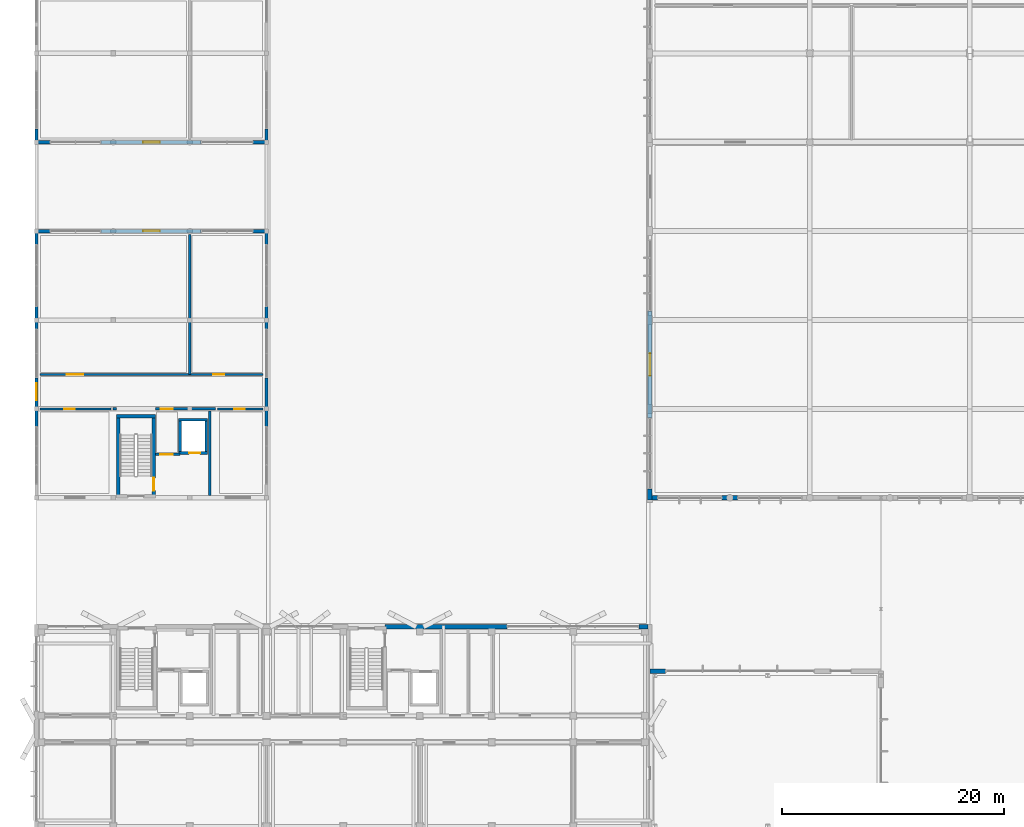
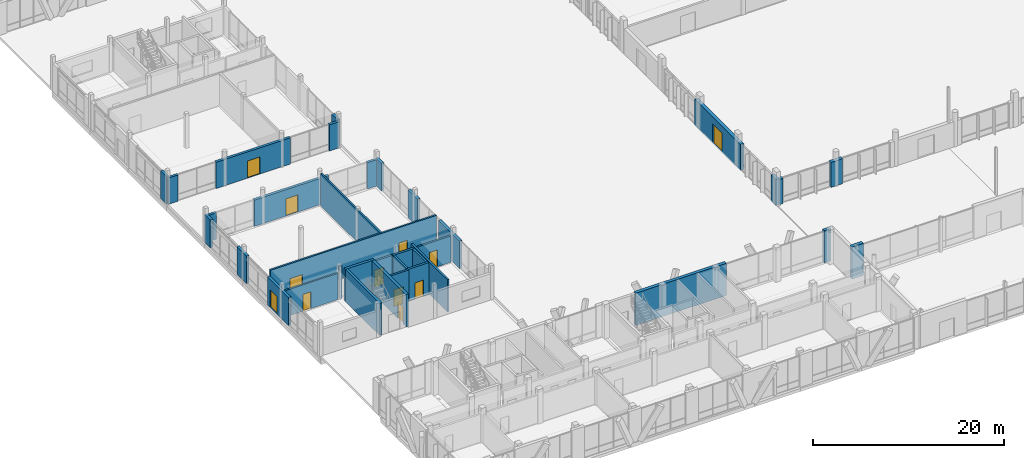
# One storey, part 192 of 233: 36 walls, 12 doors, 12 openings.
"""IFC4 building model written with IfcOpenShell, lengths in metres."""

from ifc_helpers import new_model, si_unit, direction, frame, frame_2d, origin, origin_with_axes, place, context, subcontext, project, spatial, rectangle, extrude, material, layer, layer_set, type_object, element, fill, save


model = new_model("IFC4")

# Units and contexts
model_context = context("Model", 3, precision=1e-05, world=origin(), true_north=direction((0.0, 1.0)))
body_context = subcontext(model_context, "Body", "Model", "MODEL_VIEW")
ifc_project = project(units=[si_unit("LENGTHUNIT", "METRE"), si_unit("AREAUNIT", "SQUARE_METRE"), si_unit("VOLUMEUNIT", "CUBIC_METRE"), si_unit("PLANEANGLEUNIT", "RADIAN"), si_unit("MASSUNIT", "GRAM", prefix="KILO")], contexts=[model_context])

# Site, building, storey
site_placement = place(None, origin())
site = spatial("IfcSite", under=ifc_project, at=site_placement, CompositionType="ELEMENT")
building_placement = place(site_placement, origin())
building = spatial("IfcBuilding", under=site, at=building_placement, Name="Zavelmont Quarter", CompositionType="ELEMENT")
storey_placement = place(building_placement, origin())
storey = spatial("IfcBuildingStorey", under=building, at=storey_placement, Name="L00", CompositionType="ELEMENT", Elevation=0.0)

# Walls
ifc_material_1 = material(Name="Natural Belgian limestone", Category="masonry")
ifc_layer_1 = layer(ifc_material_1, 0.3798828125)
ifc_layer_set_1 = layer_set([ifc_layer_1], Name="Natural Belgian limestone")
wall_type_1 = type_object("IfcWallType", Name="EW01", PredefinedType="STANDARD", material=ifc_layer_set_1)
wall_1_placement = place(storey_placement, frame((31.35009765625, 18.39990234375, 0.0), z_axis=(0.0, 0.0, 1.0), x_axis=(1.0, 0.0, 0.0)))
element("IfcWall", 1, at=wall_1_placement, inside=storey, type_object=wall_type_1, Name="L00 exterior limestone wall EW01", PredefinedType="STANDARD", context=body_context, shape_type="SweptSolid", body=[
    extrude(rectangle(XDim=11.0, YDim=0.3798828125, at=frame_2d((5.5, 0.0))), origin(), (0.0, 0.0, 1.0), 4.1201171875),
])
wall_2_placement = place(storey_placement, frame((54.199951171875, 18.39990234375, 0.0), z_axis=(0.0, 0.0, 1.0), x_axis=(1.0, 0.0, 0.0)))
element("IfcWall", 2, at=wall_2_placement, inside=storey, type_object=wall_type_1, Name="L00 exterior limestone wall EW01", PredefinedType="STANDARD", context=body_context, shape_type="SweptSolid", body=[
    extrude(rectangle(XDim=0.820068359375, YDim=0.3798828125, at=frame_2d((0.41015625, 0.0))), origin(), (0.0, 0.0, 1.0), 4.1201171875),
])
ifc_layer_2 = layer(ifc_material_1, 0.419921875)
ifc_layer_set_2 = layer_set([ifc_layer_2], Name="Natural Belgian limestone")
wall_type_2 = type_object("IfcWallType", Name="EW04", PredefinedType="STANDARD", material=ifc_layer_set_2)
wall_3_placement = place(storey_placement, frame((55.199951171875, 29.7900390625, 0.0), z_axis=(0.0, 0.0, 1.0), x_axis=(0.0, 1.0, 0.0)))
element("IfcWall", 3, at=wall_3_placement, inside=storey, type_object=wall_type_2, Name="L00 exterior limestone wall EW04", PredefinedType="STANDARD", context=body_context, shape_type="SweptSolid", body=[
    extrude(rectangle(XDim=1.010009765625, YDim=0.419921875, at=frame_2d((0.5048828125, 0.0))), origin(), (0.0, 0.0, 1.0), 3.360107421875),
])

# Wall, opening, door
wall_4_placement = place(storey_placement, frame((55.199951171875, 37.199951171875, 0.0), z_axis=(0.0, 0.0, 1.0), x_axis=(0.0, 1.0, 0.0)))
wall_4 = element("IfcWall", 4, at=wall_4_placement, inside=storey, type_object=wall_type_2, Name="L00 exterior limestone wall EW04", PredefinedType="STANDARD", context=body_context, shape_type="SweptSolid", body=[
    extrude(rectangle(XDim=9.60009765625, YDim=0.419921875, at=frame_2d((4.800048828125, 0.0))), origin(), (0.0, 0.0, 1.0), 3.360107421875),
])
opening_1_placement = place(wall_4_placement, frame((3.800048828125, 0.0, 0.0)))
opening_1 = element("IfcOpeningElement", 5, at=opening_1_placement, cuts=wall_4, Name="Opening DR01A", PredefinedType="OPENING", context=body_context, shape_type="SweptSolid", body=[
    extrude(rectangle(XDim=2.0, YDim=2.449951171875, at=frame_2d((1.0, 1.22509765625))), frame((0.0, 0.221923828125, 0.0), z_axis=(0.0, -1.0, 0.0), x_axis=(1.0, 0.0, 0.0)), (0.0, 0.0, 1.0), 0.44384765625),
])
ifc_material_2 = material(Name="Powder-coated aluminium and tempered double safety glass", Category="aluminium")
door_type_1 = type_object("IfcDoorType", Name="DR01A", OperationType="DOUBLE_DOOR_SINGLE_SWING", PredefinedType="DOOR", material=ifc_material_2)
door_1_placement = place(opening_1_placement, origin_with_axes())
door_1 = element("IfcDoor", 6, at=door_1_placement, inside=storey, type_object=door_type_1, Name="Community Hall West final exit door", OperationType="DOUBLE_DOOR_SINGLE_SWING", OverallHeight=2.449951171875, OverallWidth=2.0, PredefinedType="DOOR", context=body_context, shape_type="SweptSolid", body=[
    extrude(rectangle(XDim=2.0, YDim=2.449951171875, at=frame_2d((1.0, 1.22509765625))), frame((0.0, 0.02490234375, 0.0), z_axis=(0.0, -1.0, 0.0), x_axis=(1.0, 0.0, 0.0)), (0.0, 0.0, 1.0), 0.050048828125),
])
fill(opening_1, door_1)

# Walls
wall_5_placement = place(storey_placement, frame((55.39990234375, 30.0, 0.0), z_axis=(0.0, 0.0, 1.0), x_axis=(1.0, 0.0, 0.0)))
element("IfcWall", 7, at=wall_5_placement, inside=storey, type_object=wall_type_2, Name="L00 exterior limestone wall EW04", PredefinedType="STANDARD", context=body_context, shape_type="SweptSolid", body=[
    extrude(rectangle(XDim=0.5, YDim=0.419921875, at=frame_2d((0.25, 0.0))), origin(), (0.0, 0.0, 1.0), 3.2099609375),
])
wall_6_placement = place(storey_placement, frame((61.699951171875, 30.0, 0.0), z_axis=(0.0, 0.0, 1.0), x_axis=(1.0, 0.0, 0.0)))
element("IfcWall", 8, at=wall_6_placement, inside=storey, type_object=wall_type_2, Name="L00 exterior limestone wall EW04", PredefinedType="STANDARD", context=body_context, shape_type="SweptSolid", body=[
    extrude(rectangle(XDim=1.400146484375, YDim=0.419921875, at=frame_2d((0.7001953125, 0.0))), origin(), (0.0, 0.0, 1.0), 3.2099609375),
])
wall_7_placement = place(storey_placement, frame((55.199951171875, 14.39990234375, 0.0), z_axis=(0.0, 0.0, 1.0), x_axis=(1.0, 0.0, 0.0)))
element("IfcWall", 9, at=wall_7_placement, inside=storey, type_object=wall_type_2, Name="L00 exterior limestone wall EW04", PredefinedType="STANDARD", context=body_context, shape_type="SweptSolid", body=[
    extrude(rectangle(XDim=1.400146484375, YDim=0.419921875, at=frame_2d((0.7001953125, 0.0))), origin(), (0.0, 0.0, 1.0), 4.1201171875),
])

# Wall, opening, door
ifc_layer_3 = layer(ifc_material_1, 0.31005859375)
ifc_layer_set_3 = layer_set([ifc_layer_3], Name="Natural Belgian limestone")
wall_type_3 = type_object("IfcWallType", Name="EW06", PredefinedType="STANDARD", material=ifc_layer_set_3)
wall_8_placement = place(storey_placement, frame((0.0, 36.39990234375, 0.0), z_axis=(0.0, 0.0, 1.0), x_axis=(0.0, 1.0, 0.0)))
wall_8 = element("IfcWall", 10, at=wall_8_placement, inside=storey, type_object=wall_type_3, Name="L00 exterior limestone wall EW06", PredefinedType="STANDARD", context=body_context, shape_type="SweptSolid", body=[
    extrude(rectangle(XDim=4.400146484375, YDim=0.31005859375, at=frame_2d((2.2001953125, 0.0))), origin(), (0.0, 0.0, 1.0), 3.56005859375),
])
opening_2_placement = place(wall_8_placement, frame((2.39990234375, 0.0, 0.0)))
opening_2 = element("IfcOpeningElement", 11, at=opening_2_placement, cuts=wall_8, Name="Opening DR01C", PredefinedType="OPENING", context=body_context, shape_type="SweptSolid", body=[
    extrude(rectangle(XDim=1.5, YDim=2.199951171875, at=frame_2d((0.75, 1.10009765625))), frame((0.0, 0.1669921875, 0.0), z_axis=(0.0, -1.0, 0.0), x_axis=(1.0, 0.0, 0.0)), (0.0, 0.0, 1.0), 0.333984375),
])
door_type_2 = type_object("IfcDoorType", Name="DR01C", OperationType="DOUBLE_DOOR_SINGLE_SWING", PredefinedType="DOOR", material=ifc_material_2)
door_2_placement = place(opening_2_placement, origin_with_axes())
door_2 = element("IfcDoor", 12, at=door_2_placement, inside=storey, type_object=door_type_2, Name="Cooperative Market street entrance", OperationType="DOUBLE_DOOR_SINGLE_SWING", OverallHeight=2.199951171875, OverallWidth=1.5, PredefinedType="DOOR", context=body_context, shape_type="SweptSolid", body=[
    extrude(rectangle(XDim=1.5, YDim=2.199951171875, at=frame_2d((0.75, 1.10009765625))), frame((0.0, 0.02490234375, 0.0), z_axis=(0.0, -1.0, 0.0), x_axis=(1.0, 0.0, 0.0)), (0.0, 0.0, 1.0), 0.050048828125),
])
fill(opening_2, door_2)

# Walls
wall_9_placement = place(storey_placement, frame((0.0, 45.199951171875, 0.0), z_axis=(0.0, 0.0, 1.0), x_axis=(0.0, 1.0, 0.0)))
element("IfcWall", 13, at=wall_9_placement, inside=storey, type_object=wall_type_3, Name="L00 exterior limestone wall EW06", PredefinedType="STANDARD", context=body_context, shape_type="SweptSolid", body=[
    extrude(rectangle(XDim=2.0, YDim=0.31005859375, at=frame_2d((1.0, 0.0))), origin(), (0.0, 0.0, 1.0), 3.56005859375),
])
wall_10_placement = place(storey_placement, frame((0.0, 52.800048828125, 0.0), z_axis=(0.0, 0.0, 1.0), x_axis=(0.0, 1.0, 0.0)))
element("IfcWall", 14, at=wall_10_placement, inside=storey, type_object=wall_type_3, Name="L00 exterior limestone wall EW06", PredefinedType="STANDARD", context=body_context, shape_type="SweptSolid", body=[
    extrude(rectangle(XDim=1.199951171875, YDim=0.31005859375, at=frame_2d((0.60009765625, 0.0))), origin(), (0.0, 0.0, 1.0), 3.56005859375),
])
wall_11_placement = place(storey_placement, frame((20.699951171875, 36.39990234375, 0.0), z_axis=(0.0, 0.0, 1.0), x_axis=(0.0, 1.0, 0.0)))
element("IfcWall", 15, at=wall_11_placement, inside=storey, type_object=wall_type_3, Name="L00 exterior limestone wall EW06", PredefinedType="STANDARD", context=body_context, shape_type="SweptSolid", body=[
    extrude(rectangle(XDim=4.400146484375, YDim=0.31005859375, at=frame_2d((2.2001953125, 0.0))), origin(), (0.0, 0.0, 1.0), 3.56005859375),
])
wall_12_placement = place(storey_placement, frame((20.699951171875, 45.199951171875, 0.0), z_axis=(0.0, 0.0, 1.0), x_axis=(0.0, 1.0, 0.0)))
element("IfcWall", 16, at=wall_12_placement, inside=storey, type_object=wall_type_3, Name="L00 exterior limestone wall EW06", PredefinedType="STANDARD", context=body_context, shape_type="SweptSolid", body=[
    extrude(rectangle(XDim=2.0, YDim=0.31005859375, at=frame_2d((1.0, 0.0))), origin(), (0.0, 0.0, 1.0), 3.56005859375),
])
wall_13_placement = place(storey_placement, frame((20.699951171875, 52.800048828125, 0.0), z_axis=(0.0, 0.0, 1.0), x_axis=(0.0, 1.0, 0.0)))
element("IfcWall", 17, at=wall_13_placement, inside=storey, type_object=wall_type_3, Name="L00 exterior limestone wall EW06", PredefinedType="STANDARD", context=body_context, shape_type="SweptSolid", body=[
    extrude(rectangle(XDim=1.199951171875, YDim=0.31005859375, at=frame_2d((0.60009765625, 0.0))), origin(), (0.0, 0.0, 1.0), 3.56005859375),
])
wall_14_placement = place(storey_placement, frame((0.0, 54.0, 0.0), z_axis=(0.0, 0.0, 1.0), x_axis=(1.0, 0.0, 0.0)))
element("IfcWall", 18, at=wall_14_placement, inside=storey, type_object=wall_type_3, Name="L00 exterior limestone wall EW06", PredefinedType="STANDARD", context=body_context, shape_type="SweptSolid", body=[
    extrude(rectangle(XDim=1.199951171875, YDim=0.31005859375, at=frame_2d((0.60009765625, 0.0))), origin(), (0.0, 0.0, 1.0), 3.360107421875),
])

# Wall, opening, door
wall_15_placement = place(storey_placement, frame((5.800048828125, 54.0, 0.0), z_axis=(0.0, 0.0, 1.0), x_axis=(1.0, 0.0, 0.0)))
wall_15 = element("IfcWall", 19, at=wall_15_placement, inside=storey, type_object=wall_type_3, Name="L00 exterior limestone wall EW06", PredefinedType="STANDARD", context=body_context, shape_type="SweptSolid", body=[
    extrude(rectangle(XDim=9.0, YDim=0.31005859375, at=frame_2d((4.5, 0.0))), origin(), (0.0, 0.0, 1.0), 3.360107421875),
])
opening_3_placement = place(wall_15_placement, frame((3.800048828125, 0.0, 0.0)))
opening_3 = element("IfcOpeningElement", 20, at=opening_3_placement, cuts=wall_15, Name="Opening DR01C", PredefinedType="OPENING", context=body_context, shape_type="SweptSolid", body=[
    extrude(rectangle(XDim=1.5, YDim=2.199951171875, at=frame_2d((0.75, 1.10009765625))), frame((0.0, 0.1669921875, 0.0), z_axis=(0.0, -1.0, 0.0), x_axis=(1.0, 0.0, 0.0)), (0.0, 0.0, 1.0), 0.333984375),
])
door_3_placement = place(opening_3_placement, origin_with_axes())
door_3 = element("IfcDoor", 21, at=door_3_placement, inside=storey, type_object=door_type_2, Name="Passage shopfront entrance", OperationType="DOUBLE_DOOR_SINGLE_SWING", OverallHeight=2.199951171875, OverallWidth=1.5, PredefinedType="DOOR", context=body_context, shape_type="SweptSolid", body=[
    extrude(rectangle(XDim=1.5, YDim=2.199951171875, at=frame_2d((0.75, 1.10009765625))), frame((0.0, 0.02490234375, 0.0), z_axis=(0.0, -1.0, 0.0), x_axis=(1.0, 0.0, 0.0)), (0.0, 0.0, 1.0), 0.050048828125),
])
fill(opening_3, door_3)

# Walls
wall_16_placement = place(storey_placement, frame((19.5, 54.0, 0.0), z_axis=(0.0, 0.0, 1.0), x_axis=(1.0, 0.0, 0.0)))
element("IfcWall", 22, at=wall_16_placement, inside=storey, type_object=wall_type_3, Name="L00 exterior limestone wall EW06", PredefinedType="STANDARD", context=body_context, shape_type="SweptSolid", body=[
    extrude(rectangle(XDim=1.199951171875, YDim=0.31005859375, at=frame_2d((0.60009765625, 0.0))), origin(), (0.0, 0.0, 1.0), 3.360107421875),
])
for number, where, z_axis, x_axis, name in (
    (23, (0.0, 62.0, 0.0), (0.0, 0.0, 1.0), (0.0, 1.0, 0.0), "L00 exterior limestone wall EW06"),
    (24, (20.699951171875, 62.0, 0.0), (0.0, 0.0, 1.0), (0.0, 1.0, 0.0), "L00 exterior limestone wall EW06"),
):
    element("IfcWall", number, at=place(storey_placement, frame(where, z_axis=z_axis, x_axis=x_axis)), inside=storey, type_object=wall_type_3, Name=name, PredefinedType="STANDARD", context=body_context, shape_type="SweptSolid", body=[
        extrude(rectangle(XDim=1.199951171875, YDim=0.31005859375, at=frame_2d((0.60009765625, 0.0))), origin(), (0.0, 0.0, 1.0), 3.56005859375),
    ])
wall_17_placement = place(storey_placement, frame((0.0, 62.0, 0.0), z_axis=(0.0, 0.0, 1.0), x_axis=(1.0, 0.0, 0.0)))
element("IfcWall", 25, at=wall_17_placement, inside=storey, type_object=wall_type_3, Name="L00 exterior limestone wall EW06", PredefinedType="STANDARD", context=body_context, shape_type="SweptSolid", body=[
    extrude(rectangle(XDim=1.199951171875, YDim=0.31005859375, at=frame_2d((0.60009765625, 0.0))), origin(), (0.0, 0.0, 1.0), 3.360107421875),
])

# Wall, opening, door
wall_18_placement = place(storey_placement, frame((5.800048828125, 62.0, 0.0), z_axis=(0.0, 0.0, 1.0), x_axis=(1.0, 0.0, 0.0)))
wall_18 = element("IfcWall", 26, at=wall_18_placement, inside=storey, type_object=wall_type_3, Name="L00 exterior limestone wall EW06", PredefinedType="STANDARD", context=body_context, shape_type="SweptSolid", body=[
    extrude(rectangle(XDim=9.0, YDim=0.31005859375, at=frame_2d((4.5, 0.0))), origin(), (0.0, 0.0, 1.0), 3.360107421875),
])
opening_4_placement = place(wall_18_placement, frame((3.800048828125, 0.0, 0.0)))
opening_4 = element("IfcOpeningElement", 27, at=opening_4_placement, cuts=wall_18, Name="Opening DR01C", PredefinedType="OPENING", context=body_context, shape_type="SweptSolid", body=[
    extrude(rectangle(XDim=1.5, YDim=2.199951171875, at=frame_2d((0.75, 1.10009765625))), frame((0.0, 0.1669921875, 0.0), z_axis=(0.0, -1.0, 0.0), x_axis=(1.0, 0.0, 0.0)), (0.0, 0.0, 1.0), 0.333984375),
])
door_4_placement = place(opening_4_placement, frame((1.5, 0.0, 0.0), z_axis=(0.0, 0.0, 1.0), x_axis=(-1.0, 0.0, 0.0)))
door_4 = element("IfcDoor", 28, at=door_4_placement, inside=storey, type_object=door_type_2, Name="Neighbourhood Cafe passage entrance", OperationType="DOUBLE_DOOR_SINGLE_SWING", OverallHeight=2.199951171875, OverallWidth=1.5, PredefinedType="DOOR", context=body_context, shape_type="SweptSolid", body=[
    extrude(rectangle(XDim=1.5, YDim=2.199951171875, at=frame_2d((0.75, 1.10009765625))), frame((0.0, 0.02490234375, 0.0), z_axis=(0.0, -1.0, 0.0), x_axis=(1.0, 0.0, 0.0)), (0.0, 0.0, 1.0), 0.050048828125),
])
fill(opening_4, door_4)

# Wall
wall_19_placement = place(storey_placement, frame((19.5, 62.0, 0.0), z_axis=(0.0, 0.0, 1.0), x_axis=(1.0, 0.0, 0.0)))
element("IfcWall", 29, at=wall_19_placement, inside=storey, type_object=wall_type_3, Name="L00 exterior limestone wall EW06", PredefinedType="STANDARD", context=body_context, shape_type="SweptSolid", body=[
    extrude(rectangle(XDim=1.199951171875, YDim=0.31005859375, at=frame_2d((0.60009765625, 0.0))), origin(), (0.0, 0.0, 1.0), 3.360107421875),
])

# Wall, openings, doors
ifc_material_3 = material(Name="Calcium-silicate blockwork and acoustic plaster", Category="masonry")
ifc_layer_4 = layer(ifc_material_3, 0.199951171875)
ifc_layer_set_4 = layer_set([ifc_layer_4], Name="Calcium-silicate blockwork and acoustic plaster")
wall_type_4 = type_object("IfcWallType", Name="IW01", PredefinedType="PARTITIONING", material=ifc_layer_set_4)
wall_20_placement = place(storey_placement, frame((0.300048828125, 41.10009765625, 0.0), z_axis=(0.0, 0.0, 1.0), x_axis=(1.0, 0.0, 0.0)))
wall_20 = element("IfcWall", 30, at=wall_20_placement, inside=storey, type_object=wall_type_4, Name="L00 Interior partition IW01", PredefinedType="PARTITIONING", context=body_context, shape_type="SweptSolid", body=[
    extrude(rectangle(XDim=20.099853515625, YDim=0.199951171875, at=frame_2d((10.0498046875, 0.0))), origin(), (0.0, 0.0, 1.0), 4.1201171875),
])
opening_5_placement = place(wall_20_placement, frame((2.39990234375, 0.0, 0.0)))
opening_5 = element("IfcOpeningElement", 31, at=opening_5_placement, cuts=wall_20, Name="Opening DR13", PredefinedType="OPENING", context=body_context, shape_type="SweptSolid", body=[
    extrude(rectangle(XDim=1.5, YDim=2.199951171875, at=frame_2d((0.75, 1.10009765625))), frame((0.0, 0.11181640625, 0.0), z_axis=(0.0, -1.0, 0.0), x_axis=(1.0, 0.0, 0.0)), (0.0, 0.0, 1.0), 0.223876953125),
])
opening_6_placement = place(wall_20_placement, frame((15.60009765625, 0.0, 0.0)))
opening_6 = element("IfcOpeningElement", 32, at=opening_6_placement, cuts=wall_20, Name="Opening DR07", PredefinedType="OPENING", context=body_context, shape_type="SweptSolid", body=[
    extrude(rectangle(XDim=1.0, YDim=2.14990234375, at=frame_2d((0.5, 1.074951171875))), frame((0.0, 0.11181640625, 0.0), z_axis=(0.0, -1.0, 0.0), x_axis=(1.0, 0.0, 0.0)), (0.0, 0.0, 1.0), 0.223876953125),
])
ifc_material_4 = material(Name="Solid-core oak fire leaf in steel frame", Category="steel")
door_type_3 = type_object("IfcDoorType", Name="DR07", OperationType="NOTDEFINED", PredefinedType="DOOR", material=ifc_material_4)
door_5_placement = place(opening_6_placement, frame((1.0, 0.0, 0.0), z_axis=(0.0, 0.0, 1.0), x_axis=(-1.0, 0.0, 0.0)))
door_5 = element("IfcDoor", 33, at=door_5_placement, inside=storey, type_object=door_type_3, Name="L00 door DR07", OperationType="SINGLE_SWING_LEFT", OverallHeight=2.14990234375, OverallWidth=1.0, PredefinedType="DOOR", context=body_context, shape_type="SweptSolid", body=[
    extrude(rectangle(XDim=1.0, YDim=2.14990234375, at=frame_2d((0.5, 1.074951171875))), frame((0.0, 0.02490234375, 0.0), z_axis=(0.0, -1.0, 0.0), x_axis=(1.0, 0.0, 0.0)), (0.0, 0.0, 1.0), 0.050048828125),
])
fill(opening_6, door_5)
ifc_material_5 = material(Name="Glazed oak acoustic fire door pair")
door_type_4 = type_object("IfcDoorType", Name="DR13", OperationType="DOUBLE_DOOR_SINGLE_SWING", PredefinedType="DOOR", material=ifc_material_5)
door_6_placement = place(opening_5_placement, origin_with_axes())
door_6 = element("IfcDoor", 34, at=door_6_placement, inside=storey, type_object=door_type_4, Name="L00 door DR13", OperationType="DOUBLE_DOOR_SINGLE_SWING", OverallHeight=2.199951171875, OverallWidth=1.5, PredefinedType="DOOR", context=body_context, shape_type="SweptSolid", body=[
    extrude(rectangle(XDim=1.5, YDim=2.199951171875, at=frame_2d((0.75, 1.10009765625))), frame((0.0, 0.02490234375, 0.0), z_axis=(0.0, -1.0, 0.0), x_axis=(1.0, 0.0, 0.0)), (0.0, 0.0, 1.0), 0.050048828125),
])
fill(opening_5, door_6)

# Wall
wall_21_placement = place(storey_placement, frame((13.800048828125, 41.10009765625, 0.0), z_axis=(0.0, 0.0, 1.0), x_axis=(0.0, 1.0, 0.0)))
element("IfcWall", 35, at=wall_21_placement, inside=storey, type_object=wall_type_4, Name="L00 Interior partition IW01", PredefinedType="PARTITIONING", context=body_context, shape_type="SweptSolid", body=[
    extrude(rectangle(XDim=12.599853515625, YDim=0.199951171875, at=frame_2d((6.2998046875, 0.0))), origin(), (0.0, 0.0, 1.0), 4.1201171875),
])

# Wall, opening, door
wall_22_placement = place(storey_placement, frame((0.300048828125, 38.0, 0.0), z_axis=(0.0, 0.0, 1.0), x_axis=(1.0, 0.0, 0.0)))
wall_22 = element("IfcWall", 36, at=wall_22_placement, inside=storey, type_object=wall_type_4, Name="L00 Interior partition IW01", PredefinedType="PARTITIONING", context=body_context, shape_type="SweptSolid", body=[
    extrude(rectangle(XDim=6.39990234375, YDim=0.199951171875, at=frame_2d((3.199951171875, 0.0))), origin(), (0.0, 0.0, 1.0), 3.360107421875),
])
opening_7_placement = place(wall_22_placement, frame((2.199951171875, 0.0, 0.0)))
opening_7 = element("IfcOpeningElement", 37, at=opening_7_placement, cuts=wall_22, Name="Opening DR02", PredefinedType="OPENING", context=body_context, shape_type="SweptSolid", body=[
    extrude(rectangle(XDim=0.949951171875, YDim=2.14990234375, at=frame_2d((0.47509765625, 1.074951171875))), frame((0.0, 0.11181640625, 0.0), z_axis=(0.0, -1.0, 0.0), x_axis=(1.0, 0.0, 0.0)), (0.0, 0.0, 1.0), 0.223876953125),
])
door_type_5 = type_object("IfcDoorType", Name="DR02", OperationType="NOTDEFINED", PredefinedType="DOOR", material=ifc_material_4)
door_7_placement = place(opening_7_placement, origin_with_axes())
door_7 = element("IfcDoor", 38, at=door_7_placement, inside=storey, type_object=door_type_5, Name="L00 door DR02", OperationType="SINGLE_SWING_LEFT", OverallHeight=2.14990234375, OverallWidth=0.949951171875, PredefinedType="DOOR", context=body_context, shape_type="SweptSolid", body=[
    extrude(rectangle(XDim=0.949951171875, YDim=2.14990234375, at=frame_2d((0.47509765625, 1.074951171875))), frame((0.0, 0.02490234375, 0.0), z_axis=(0.0, -1.0, 0.0), x_axis=(1.0, 0.0, 0.0)), (0.0, 0.0, 1.0), 0.050048828125),
])
fill(opening_7, door_7)

wall_23_placement = place(storey_placement, frame((16.300048828125, 38.0, 0.0), z_axis=(0.0, 0.0, 1.0), x_axis=(1.0, 0.0, 0.0)))
wall_23 = element("IfcWall", 39, at=wall_23_placement, inside=storey, type_object=wall_type_4, Name="L00 Interior partition IW01", PredefinedType="PARTITIONING", context=body_context, shape_type="SweptSolid", body=[
    extrude(rectangle(XDim=4.099853515625, YDim=0.199951171875, at=frame_2d((2.0498046875, 0.0))), origin(), (0.0, 0.0, 1.0), 3.360107421875),
])
opening_8_placement = place(wall_23_placement, frame((1.5, 0.0, 0.0)))
opening_8 = element("IfcOpeningElement", 40, at=opening_8_placement, cuts=wall_23, Name="Opening DR02", PredefinedType="OPENING", context=body_context, shape_type="SweptSolid", body=[
    extrude(rectangle(XDim=0.949951171875, YDim=2.14990234375, at=frame_2d((0.47509765625, 1.074951171875))), frame((0.0, 0.11181640625, 0.0), z_axis=(0.0, -1.0, 0.0), x_axis=(1.0, 0.0, 0.0)), (0.0, 0.0, 1.0), 0.223876953125),
])
door_8_placement = place(opening_8_placement, frame((0.949951171875, 0.0, 0.0), z_axis=(0.0, 0.0, 1.0), x_axis=(-1.0, 0.0, 0.0)))
door_8 = element("IfcDoor", 41, at=door_8_placement, inside=storey, type_object=door_type_5, Name="L00 door DR02", OperationType="SINGLE_SWING_RIGHT", OverallHeight=2.14990234375, OverallWidth=0.949951171875, PredefinedType="DOOR", context=body_context, shape_type="SweptSolid", body=[
    extrude(rectangle(XDim=0.949951171875, YDim=2.14990234375, at=frame_2d((0.47509765625, 1.074951171875))), frame((0.0, 0.02490234375, 0.0), z_axis=(0.0, -1.0, 0.0), x_axis=(1.0, 0.0, 0.0)), (0.0, 0.0, 1.0), 0.050048828125),
])
fill(opening_8, door_8)

# Wall
ifc_material_6 = material(Name="Reinforced masonry fire compartment wall", Category="masonry")
ifc_layer_5 = layer(ifc_material_6, 0.22509765625)
ifc_layer_set_5 = layer_set([ifc_layer_5], Name="Reinforced masonry fire compartment wall")
wall_type_5 = type_object("IfcWallType", Name="IW02", PredefinedType="PARTITIONING", material=ifc_layer_set_5)
wall_24_placement = place(storey_placement, frame((15.610107421875, 30.199951171875, 0.0), z_axis=(0.0, 0.0, 1.0), x_axis=(0.0, 1.0, 0.0)))
element("IfcWall", 42, at=wall_24_placement, inside=storey, type_object=wall_type_5, Name="L00 Firefighting lobby enclosure wall IW02", PredefinedType="PARTITIONING", context=body_context, shape_type="SweptSolid", body=[
    extrude(rectangle(XDim=7.60009765625, YDim=0.22509765625, at=frame_2d((3.800048828125, 0.0))), origin(), (0.0, 0.0, 1.0), 4.1201171875),
])

# Wall, opening, door
wall_25_placement = place(storey_placement, frame((10.699951171875, 33.89990234375, 0.0), z_axis=(0.0, 0.0, 1.0), x_axis=(1.0, 0.0, 0.0)))
wall_25 = element("IfcWall", 43, at=wall_25_placement, inside=storey, type_object=wall_type_5, Name="L00 Firefighting lobby threshold wall IW02", PredefinedType="PARTITIONING", context=body_context, shape_type="SweptSolid", body=[
    extrude(rectangle(XDim=2.199951171875, YDim=0.22509765625, at=frame_2d((1.10009765625, 0.0))), origin(), (0.0, 0.0, 1.0), 4.1201171875),
])
opening_9_placement = place(wall_25_placement, frame((0.449951171875, 0.0, 0.0)))
opening_9 = element("IfcOpeningElement", 44, at=opening_9_placement, cuts=wall_25, Name="Opening DR10", PredefinedType="OPENING", context=body_context, shape_type="SweptSolid", body=[
    extrude(rectangle(XDim=1.10009765625, YDim=2.14990234375, at=frame_2d((0.550048828125, 1.074951171875))), frame((0.0, 0.12451171875, 0.0), z_axis=(0.0, -1.0, 0.0), x_axis=(1.0, 0.0, 0.0)), (0.0, 0.0, 1.0), 0.2490234375),
])
ifc_material_7 = material(Name="Painted steel lobby fire door", Category="steel")
door_type_6 = type_object("IfcDoorType", Name="DR10", OperationType="NOTDEFINED", PredefinedType="DOOR", material=ifc_material_7)
door_9_placement = place(opening_9_placement, frame((1.10009765625, 0.0, 0.0), z_axis=(0.0, 0.0, 1.0), x_axis=(-1.0, 0.0, 0.0)))
door_9 = element("IfcDoor", 45, at=door_9_placement, inside=storey, type_object=door_type_6, Name="Firefighting lobby fire door", OperationType="SINGLE_SWING_RIGHT", OverallHeight=2.14990234375, OverallWidth=1.10009765625, PredefinedType="DOOR", context=body_context, shape_type="SweptSolid", body=[
    extrude(rectangle(XDim=1.10009765625, YDim=2.14990234375, at=frame_2d((0.550048828125, 1.074951171875))), frame((0.0, 0.02490234375, 0.0), z_axis=(0.0, -1.0, 0.0), x_axis=(1.0, 0.0, 0.0)), (0.0, 0.0, 1.0), 0.050048828125),
])
fill(opening_9, door_9)

# Wall
wall_26_placement = place(storey_placement, frame((6.89990234375, 38.0, 0.0), z_axis=(0.0, 0.0, 1.0), x_axis=(1.0, 0.0, 0.0)))
element("IfcWall", 46, at=wall_26_placement, inside=storey, type_object=wall_type_5, Name="L00 Core corridor wall IW02", PredefinedType="PARTITIONING", context=body_context, shape_type="SweptSolid", body=[
    extrude(rectangle(XDim=0.300048828125, YDim=0.22509765625, at=frame_2d((0.14990234375, 0.0))), origin(), (0.0, 0.0, 1.0), 4.1201171875),
])

# Wall, opening, door
wall_27_placement = place(storey_placement, frame((10.699951171875, 38.0, 0.0), z_axis=(0.0, 0.0, 1.0), x_axis=(1.0, 0.0, 0.0)))
wall_27 = element("IfcWall", 47, at=wall_27_placement, inside=storey, type_object=wall_type_5, Name="L00 Core corridor fire wall IW02", PredefinedType="PARTITIONING", context=body_context, shape_type="SweptSolid", body=[
    extrude(rectangle(XDim=5.400146484375, YDim=0.22509765625, at=frame_2d((2.7001953125, 0.0))), origin(), (0.0, 0.0, 1.0), 3.360107421875),
])
opening_10_placement = place(wall_27_placement, frame((0.47509765625, 0.0, 0.0)))
opening_10 = element("IfcOpeningElement", 48, at=opening_10_placement, cuts=wall_27, Name="Opening DR10", PredefinedType="OPENING", context=body_context, shape_type="SweptSolid", body=[
    extrude(rectangle(XDim=1.10009765625, YDim=2.14990234375, at=frame_2d((0.550048828125, 1.074951171875))), frame((0.0, 0.12451171875, 0.0), z_axis=(0.0, -1.0, 0.0), x_axis=(1.0, 0.0, 0.0)), (0.0, 0.0, 1.0), 0.2490234375),
])
door_10_placement = place(opening_10_placement, frame((1.10009765625, 0.0, 0.0), z_axis=(0.0, 0.0, 1.0), x_axis=(-1.0, 0.0, 0.0)))
door_10 = element("IfcDoor", 49, at=door_10_placement, inside=storey, type_object=door_type_6, Name="Core vestibule fire door", OperationType="SINGLE_SWING_LEFT", OverallHeight=2.14990234375, OverallWidth=1.10009765625, PredefinedType="DOOR", context=body_context, shape_type="SweptSolid", body=[
    extrude(rectangle(XDim=1.10009765625, YDim=2.14990234375, at=frame_2d((0.550048828125, 1.074951171875))), frame((0.0, 0.02490234375, 0.0), z_axis=(0.0, -1.0, 0.0), x_axis=(1.0, 0.0, 0.0)), (0.0, 0.0, 1.0), 0.050048828125),
])
fill(opening_10, door_10)

# Walls
ifc_material_8 = material(Name="Concrete C40/50", Category="concrete")
ifc_layer_6 = layer(ifc_material_8, 0.300048828125)
ifc_layer_set_6 = layer_set([ifc_layer_6], Name="Concrete C40/50")
wall_type_6 = type_object("IfcWallType", Name="SW01", PredefinedType="SHEAR", material=ifc_layer_set_6)
wall_28_placement = place(storey_placement, frame((7.199951171875, 37.35009765625, 0.0), z_axis=(0.0, 0.0, 1.0), x_axis=(1.0, 0.0, 0.0)))
element("IfcWall", 50, at=wall_28_placement, inside=storey, type_object=wall_type_6, Name="L00 ST13 corridor shear wall SW01", PredefinedType="SHEAR", context=body_context, shape_type="SweptSolid", body=[
    extrude(rectangle(XDim=3.5, YDim=0.300048828125, at=frame_2d((1.75, 0.0))), origin(), (0.0, 0.0, 1.0), 4.1201171875),
])
wall_29_placement = place(storey_placement, frame((7.35009765625, 30.0, 0.0), z_axis=(0.0, 0.0, 1.0), x_axis=(0.0, 1.0, 0.0)))
element("IfcWall", 51, at=wall_29_placement, inside=storey, type_object=wall_type_6, Name="L00 ST13 west shear wall SW01", PredefinedType="SHEAR", context=body_context, shape_type="SweptSolid", body=[
    extrude(rectangle(XDim=7.5, YDim=0.300048828125, at=frame_2d((3.75, 0.0))), origin(), (0.0, 0.0, 1.0), 4.1201171875),
])

# Wall, opening, door
wall_30_placement = place(storey_placement, frame((10.550048828125, 30.0, 0.0), z_axis=(0.0, 0.0, 1.0), x_axis=(0.0, 1.0, 0.0)))
wall_30 = element("IfcWall", 52, at=wall_30_placement, inside=storey, type_object=wall_type_6, Name="L00 ST13 lobby shear wall SW01", PredefinedType="SHEAR", context=body_context, shape_type="SweptSolid", body=[
    extrude(rectangle(XDim=7.5, YDim=0.300048828125, at=frame_2d((3.75, 0.0))), origin(), (0.0, 0.0, 1.0), 4.1201171875),
])
opening_11_placement = place(wall_30_placement, frame((0.64990234375, 0.0, 0.0)))
opening_11 = element("IfcOpeningElement", 53, at=opening_11_placement, cuts=wall_30, Name="Opening DR09", PredefinedType="OPENING", context=body_context, shape_type="SweptSolid", body=[
    extrude(rectangle(XDim=1.14990234375, YDim=2.14990234375, at=frame_2d((0.574951171875, 1.074951171875))), frame((0.0, 0.162109375, 0.0), z_axis=(0.0, -1.0, 0.0), x_axis=(1.0, 0.0, 0.0)), (0.0, 0.0, 1.0), 0.323974609375),
])
ifc_material_9 = material(Name="Painted steel stair-core fire door", Category="steel")
door_type_7 = type_object("IfcDoorType", Name="DR09", OperationType="NOTDEFINED", PredefinedType="DOOR", material=ifc_material_9)
door_11_placement = place(opening_11_placement, origin_with_axes())
door_11 = element("IfcDoor", 54, at=door_11_placement, inside=storey, type_object=door_type_7, Name="ST13 protected stair door", OperationType="SINGLE_SWING_RIGHT", OverallHeight=2.14990234375, OverallWidth=1.14990234375, PredefinedType="DOOR", context=body_context, shape_type="SweptSolid", body=[
    extrude(rectangle(XDim=1.14990234375, YDim=2.14990234375, at=frame_2d((0.574951171875, 1.074951171875))), frame((0.0, 0.02490234375, 0.0), z_axis=(0.0, -1.0, 0.0), x_axis=(1.0, 0.0, 0.0)), (0.0, 0.0, 1.0), 0.050048828125),
])
fill(opening_11, door_11)

ifc_layer_7 = layer(ifc_material_8, 0.25)
ifc_layer_set_7 = layer_set([ifc_layer_7], Name="Concrete C40/50")
wall_type_7 = type_object("IfcWallType", Name="SW02", PredefinedType="SHEAR", material=ifc_layer_set_7)
wall_31_placement = place(storey_placement, frame((12.800048828125, 34.02490234375, 0.0), z_axis=(0.0, 0.0, 1.0), x_axis=(1.0, 0.0, 0.0)))
wall_31 = element("IfcWall", 55, at=wall_31_placement, inside=storey, type_object=wall_type_7, Name="L00 Lift LF11 landing shaft wall SW02", PredefinedType="SHEAR", context=body_context, shape_type="SweptSolid", body=[
    extrude(rectangle(XDim=2.599853515625, YDim=0.25, at=frame_2d((1.2998046875, 0.0))), origin(), (0.0, 0.0, 1.0), 4.1201171875),
])
opening_12_placement = place(wall_31_placement, frame((0.925048828125, 0.0, 0.0)))
opening_12 = element("IfcOpeningElement", 56, at=opening_12_placement, cuts=wall_31, Name="Opening LD01", PredefinedType="OPENING", context=body_context, shape_type="SweptSolid", body=[
    extrude(rectangle(XDim=1.0, YDim=2.10009765625, at=frame_2d((0.5, 1.050048828125))), frame((0.0, 0.136962890625, 0.0), z_axis=(0.0, -1.0, 0.0), x_axis=(1.0, 0.0, 0.0)), (0.0, 0.0, 1.0), 0.27392578125),
])
ifc_material_10 = material(Name="Brushed stainless-steel automatic sliding landing door", Category="steel")
door_type_8 = type_object("IfcDoorType", Name="LD01", OperationType="SLIDING_TO_LEFT", PredefinedType="DOOR", material=ifc_material_10)
door_12_placement = place(opening_12_placement, origin_with_axes())
door_12 = element("IfcDoor", 57, at=door_12_placement, inside=storey, type_object=door_type_8, Name="Lift LF11 sliding landing door", OperationType="SLIDING_TO_LEFT", OverallHeight=2.10009765625, OverallWidth=1.0, PredefinedType="DOOR", context=body_context, shape_type="SweptSolid", body=[
    extrude(rectangle(XDim=1.0, YDim=2.10009765625, at=frame_2d((0.5, 1.050048828125))), frame((0.0, 0.02490234375, 0.0), z_axis=(0.0, -1.0, 0.0), x_axis=(1.0, 0.0, 0.0)), (0.0, 0.0, 1.0), 0.050048828125),
])
fill(opening_12, door_12)

# Walls
wall_32_placement = place(storey_placement, frame((12.800048828125, 37.02490234375, 0.0), z_axis=(0.0, 0.0, 1.0), x_axis=(1.0, 0.0, 0.0)))
element("IfcWall", 58, at=wall_32_placement, inside=storey, type_object=wall_type_7, Name="L00 Lift LF11 back shaft wall SW02", PredefinedType="SHEAR", context=body_context, shape_type="SweptSolid", body=[
    extrude(rectangle(XDim=2.599853515625, YDim=0.25, at=frame_2d((1.2998046875, 0.0))), origin(), (0.0, 0.0, 1.0), 4.1201171875),
])
for number, where, z_axis, x_axis, name in (
    (59, (12.925048828125, 33.89990234375, 0.0), (0.0, 0.0, 1.0), (0.0, 1.0, 0.0), "L00 Lift LF11 west shaft wall SW02"),
    (60, (15.27490234375, 33.89990234375, 0.0), (0.0, 0.0, 1.0), (0.0, 1.0, 0.0), "L00 Lift LF11 east shaft wall SW02"),
):
    element("IfcWall", number, at=place(storey_placement, frame(where, z_axis=z_axis, x_axis=x_axis)), inside=storey, type_object=wall_type_7, Name=name, PredefinedType="SHEAR", context=body_context, shape_type="SweptSolid", body=[
        extrude(rectangle(XDim=3.25, YDim=0.25, at=frame_2d((1.625, 0.0))), origin(), (0.0, 0.0, 1.0), 4.1201171875),
    ])

save(model, "model.ifc")
